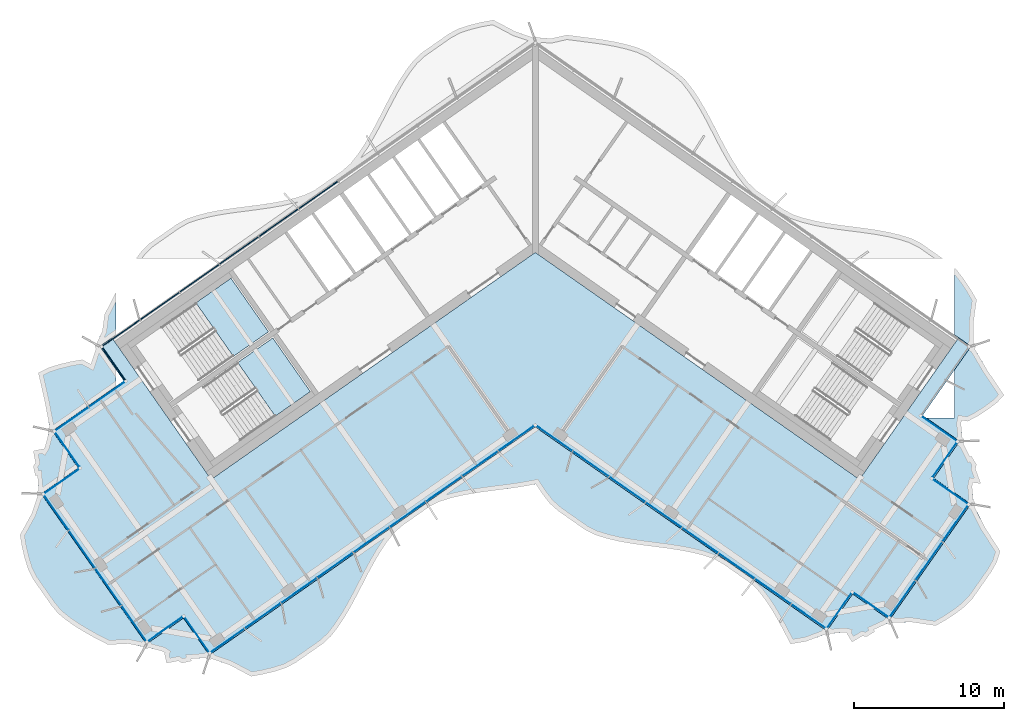
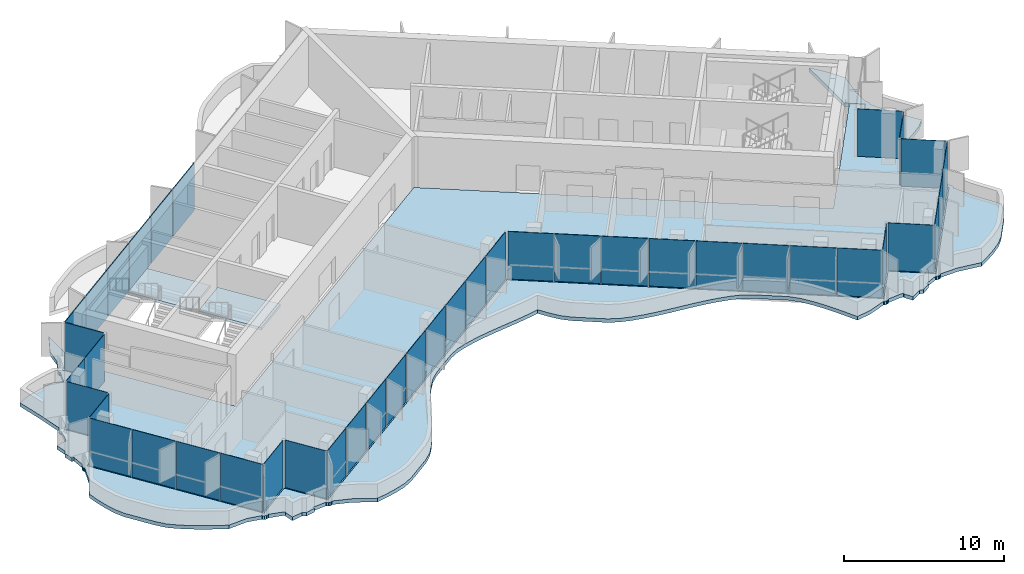
# One storey, part 7 of 17: 42 plates, 4 slabs, 4 elements without a shape of their own.
"""IFC4 building model written with IfcOpenShell, lengths in metres."""

from ifc_helpers import new_model, si_unit, direction, frame, origin, origin_2d, place, context, subcontext, project, spatial, polyline, rectangle, outline, extrude, material, layer, layer_set, type_object, element, aggregate, save


model = new_model("IFC4")

# Units and contexts
model_context = context("Model", 3, precision=1e-05, world=origin(), true_north=direction((0.0, 1.0)))
body_context = subcontext(model_context, "Body", "Model", "MODEL_VIEW")
ifc_project = project(units=[si_unit("LENGTHUNIT", "METRE"), si_unit("AREAUNIT", "SQUARE_METRE"), si_unit("VOLUMEUNIT", "CUBIC_METRE"), si_unit("PLANEANGLEUNIT", "RADIAN"), si_unit("MASSUNIT", "GRAM", prefix="KILO")], contexts=[model_context])

# Site, building, storey
site_placement = place(None, origin())
site = spatial("IfcSite", under=ifc_project, at=site_placement, CompositionType="ELEMENT")
building_placement = place(site_placement, origin())
building = spatial("IfcBuilding", under=site, at=building_placement, Name="Tel Ilan Convention Tower", CompositionType="ELEMENT")
storey_placement = place(building_placement, frame((0.0, 0.0, 280.0)))
storey = spatial("IfcBuildingStorey", under=building, at=storey_placement, Name="L66", CompositionType="ELEMENT", Elevation=280.0)

# Curtain wall, plates
ifc_material_1 = material(Name="Aluminium, bronze anodised", Category="aluminium")
curtain_wall_type_1 = type_object("IfcCurtainWallType", Name="CW2 STICK CURTAIN WALL, SPANDREL PANELS", PredefinedType="NOTDEFINED", material=ifc_material_1)
curtain_wall_1_placement = place(storey_placement, origin())
curtain_wall_1 = element("IfcCurtainWall", 1, at=curtain_wall_1_placement, inside=storey, type_object=curtain_wall_type_1, Name="Curtain wall CW2-50.01", PredefinedType="NOTDEFINED")
ifc_material_2 = material(Name="Aluminium composite panel, bronze anodised", Category="aluminium")
ifc_layer_1 = layer(ifc_material_2, 0.06005859375)
ifc_layer_set_1 = layer_set([ifc_layer_1], Name="CW SPANDREL PANEL 60")
plate_type_1 = type_object("IfcPlateType", Name="CW SPANDREL PANEL 60", PredefinedType="CURTAIN_PANEL", material=ifc_layer_set_1)
plate_1_placement = place(storey_placement, frame((-14.422119140625, 2.59765625, 0.0), z_axis=(0.0, 0.0, 1.0), x_axis=(-0.819152044289, -0.573576436351, 0.0)))
plate_1 = element("IfcPlate", 2, at=plate_1_placement, type_object=plate_type_1, Name="Spandrel panel", PredefinedType="CURTAIN_PANEL", context=body_context, shape_type="SweptSolid", body=[
    extrude(rectangle(XDim=3.15380859375, YDim=0.06005859375, at=origin_2d()), origin(), (0.0, 0.0, 1.0), 3.6201171875),
])
plate_2_placement = place(storey_placement, frame((-17.0546875, 0.754150390625, 0.0), z_axis=(0.0, 0.0, 1.0), x_axis=(-0.819152044289, -0.573576436351, 0.0)))
plate_2 = element("IfcPlate", 3, at=plate_2_placement, type_object=plate_type_1, Name="Spandrel panel", PredefinedType="CURTAIN_PANEL", context=body_context, shape_type="SweptSolid", body=[
    extrude(rectangle(XDim=3.15380859375, YDim=0.06005859375, at=origin_2d()), origin(), (0.0, 0.0, 1.0), 3.6201171875),
])
plate_3_placement = place(storey_placement, frame((-19.687255859375, -1.089111328125, 0.0), z_axis=(0.0, 0.0, 1.0), x_axis=(-0.819152044289, -0.573576436351, 0.0)))
plate_3 = element("IfcPlate", 4, at=plate_3_placement, type_object=plate_type_1, Name="Spandrel panel", PredefinedType="CURTAIN_PANEL", context=body_context, shape_type="SweptSolid", body=[
    extrude(rectangle(XDim=3.15380859375, YDim=0.06005859375, at=origin_2d()), origin(), (0.0, 0.0, 1.0), 3.6201171875),
])
plate_4_placement = place(storey_placement, frame((-22.31982421875, -2.9326171875, 0.0), z_axis=(0.0, 0.0, 1.0), x_axis=(-0.819152044289, -0.573576436351, 0.0)))
plate_4 = element("IfcPlate", 5, at=plate_4_placement, type_object=plate_type_1, Name="Spandrel panel", PredefinedType="CURTAIN_PANEL", context=body_context, shape_type="SweptSolid", body=[
    extrude(rectangle(XDim=3.15380859375, YDim=0.06005859375, at=origin_2d()), origin(), (0.0, 0.0, 1.0), 3.6201171875),
])
plate_5_placement = place(storey_placement, frame((-24.95263671875, -4.77587890625, 0.0), z_axis=(0.0, 0.0, 1.0), x_axis=(-0.819152044289, -0.573576436351, 0.0)))
plate_5 = element("IfcPlate", 6, at=plate_5_placement, type_object=plate_type_1, Name="Spandrel panel", PredefinedType="CURTAIN_PANEL", context=body_context, shape_type="SweptSolid", body=[
    extrude(rectangle(XDim=3.15380859375, YDim=0.06005859375, at=origin_2d()), origin(), (0.0, 0.0, 1.0), 3.6201171875),
])
plate_6_placement = place(storey_placement, frame((-27.5400390625, -6.587646484375, 0.0), z_axis=(0.0, 0.0, 1.0), x_axis=(-0.819152044289, -0.573576436351, 0.0)))
plate_6 = element("IfcPlate", 7, at=plate_6_placement, type_object=plate_type_1, Name="Spandrel panel", PredefinedType="CURTAIN_PANEL", context=body_context, shape_type="SweptSolid", body=[
    extrude(rectangle(XDim=3.0439453125, YDim=0.06005859375, at=origin_2d()), origin(), (0.0, 0.0, 1.0), 3.6201171875),
])
plate_7_placement = place(storey_placement, frame((-28.033935546875, -8.60546875, 0.0), z_axis=(0.0, 0.0, 1.0), x_axis=(0.573576436351, -0.819152044289, 0.0)))
plate_7 = element("IfcPlate", 8, at=plate_7_placement, type_object=plate_type_1, Name="Spandrel panel", PredefinedType="CURTAIN_PANEL", context=body_context, shape_type="SweptSolid", body=[
    extrude(rectangle(XDim=2.658935546875, YDim=0.06005859375, at=origin_2d()), origin(), (0.0, 0.0, 1.0), 3.6201171875),
])
aggregate(curtain_wall_1, [plate_1, plate_2, plate_3, plate_4, plate_5, plate_6, plate_7])

ifc_material_3 = material(Name="Aluminium, bronze anodised", Category="aluminium")
curtain_wall_type_2 = type_object("IfcCurtainWallType", Name="CW5 STICK CURTAIN WALL, UPPER OFFICE LOW-IRON TINTED GLASS", PredefinedType="NOTDEFINED", material=ifc_material_3)
curtain_wall_2_placement = place(storey_placement, origin())
curtain_wall_2 = element("IfcCurtainWall", 9, at=curtain_wall_2_placement, inside=storey, type_object=curtain_wall_type_2, Name="Curtain wall CW5-50.02", PredefinedType="NOTDEFINED")
ifc_material_4 = material(Name="Glass, low-iron bronze tinted, two-ply", Category="glass")
ifc_layer_2 = layer(ifc_material_4, 0.031982421875)
ifc_layer_set_2 = layer_set([ifc_layer_2], Name="CW UPPER GLASS PANEL 32")
plate_type_2 = type_object("IfcPlateType", Name="CW UPPER GLASS PANEL 32", PredefinedType="CURTAIN_PANEL", material=ifc_layer_set_2)
plate_8_placement = place(storey_placement, frame((-28.471435546875, -10.657958984375, 0.0), z_axis=(0.0, 0.0, 1.0), x_axis=(-0.819152044289, -0.573576436351, 0.0)))
plate_8 = element("IfcPlate", 10, at=plate_8_placement, type_object=plate_type_2, Name="Glass panel", PredefinedType="CURTAIN_PANEL", context=body_context, shape_type="SweptSolid", body=[
    extrude(rectangle(XDim=2.868896484375, YDim=0.028076171875, at=origin_2d()), origin(), (0.0, 0.0, 1.0), 3.6201171875),
])
plate_9_placement = place(storey_placement, frame((-30.8203125, -12.302734375, 0.0), z_axis=(0.0, 0.0, 1.0), x_axis=(-0.819152044289, -0.573576436351, 0.0)))
plate_9 = element("IfcPlate", 11, at=plate_9_placement, type_object=plate_type_2, Name="Glass panel", PredefinedType="CURTAIN_PANEL", context=body_context, shape_type="SweptSolid", body=[
    extrude(rectangle(XDim=2.74609375, YDim=0.028076171875, at=origin_2d()), origin(), (0.0, 0.0, 1.0), 3.6201171875),
])
plate_10_placement = place(storey_placement, frame((-31.126220703125, -14.30126953125, 0.0), z_axis=(0.0, 0.0, 1.0), x_axis=(0.573576436351, -0.819152044289, 0.0)))
plate_10 = element("IfcPlate", 12, at=plate_10_placement, type_object=plate_type_2, Name="Glass panel", PredefinedType="CURTAIN_PANEL", context=body_context, shape_type="SweptSolid", body=[
    extrude(rectangle(XDim=2.875, YDim=0.028076171875, at=origin_2d()), origin(), (0.0, 0.0, 1.0), 3.6201171875),
])
plate_11_placement = place(storey_placement, frame((-31.504150390625, -16.44384765625, 0.0), z_axis=(0.0, 0.0, 1.0), x_axis=(-0.819152044289, -0.573576436351, 0.0)))
plate_11 = element("IfcPlate", 13, at=plate_11_placement, type_object=plate_type_2, Name="Glass panel", PredefinedType="CURTAIN_PANEL", context=body_context, shape_type="SweptSolid", body=[
    extrude(rectangle(XDim=2.875, YDim=0.028076171875, at=origin_2d()), origin(), (0.0, 0.0, 1.0), 3.6201171875),
])
plate_12_placement = place(storey_placement, frame((-31.85693359375, -18.488037109375, 0.0), z_axis=(0.0, 0.0, 1.0), x_axis=(0.573576436351, -0.819152044289, 0.0)))
plate_12 = element("IfcPlate", 14, at=plate_12_placement, type_object=plate_type_2, Name="Glass panel", PredefinedType="CURTAIN_PANEL", context=body_context, shape_type="SweptSolid", body=[
    extrude(rectangle(XDim=2.89599609375, YDim=0.028076171875, at=origin_2d()), origin(), (0.0, 0.0, 1.0), 3.6201171875),
])
plate_13_placement = place(storey_placement, frame((-30.134521484375, -20.94775390625, 0.0), z_axis=(0.0, 0.0, 1.0), x_axis=(0.573576436351, -0.819152044289, 0.0)))
plate_13 = element("IfcPlate", 15, at=plate_13_placement, type_object=plate_type_2, Name="Glass panel", PredefinedType="CURTAIN_PANEL", context=body_context, shape_type="SweptSolid", body=[
    extrude(rectangle(XDim=2.989990234375, YDim=0.028076171875, at=origin_2d()), origin(), (0.0, 0.0, 1.0), 3.6201171875),
])
plate_14_placement = place(storey_placement, frame((-28.38525390625, -23.4462890625, 0.0), z_axis=(0.0, 0.0, 1.0), x_axis=(0.573576436351, -0.819152044289, 0.0)))
plate_14 = element("IfcPlate", 16, at=plate_14_placement, type_object=plate_type_2, Name="Glass panel", PredefinedType="CURTAIN_PANEL", context=body_context, shape_type="SweptSolid", body=[
    extrude(rectangle(XDim=2.989990234375, YDim=0.028076171875, at=origin_2d()), origin(), (0.0, 0.0, 1.0), 3.6201171875),
])
plate_15_placement = place(storey_placement, frame((-26.66259765625, -25.90625, 0.0), z_axis=(0.0, 0.0, 1.0), x_axis=(0.573576436351, -0.819152044289, 0.0)))
plate_15 = element("IfcPlate", 17, at=plate_15_placement, type_object=plate_type_2, Name="Glass panel", PredefinedType="CURTAIN_PANEL", context=body_context, shape_type="SweptSolid", body=[
    extrude(rectangle(XDim=2.89599609375, YDim=0.028076171875, at=origin_2d()), origin(), (0.0, 0.0, 1.0), 3.6201171875),
])
plate_16_placement = place(storey_placement, frame((-24.621337890625, -26.273681640625, 0.0), z_axis=(0.0, 0.0, 1.0), x_axis=(0.819152044289, 0.573576436351, 0.0)))
plate_16 = element("IfcPlate", 18, at=plate_16_placement, type_object=plate_type_2, Name="Glass panel", PredefinedType="CURTAIN_PANEL", context=body_context, shape_type="SweptSolid", body=[
    extrude(rectangle(XDim=2.875, YDim=0.028076171875, at=origin_2d()), origin(), (0.0, 0.0, 1.0), 3.6201171875),
])
plate_17_placement = place(storey_placement, frame((-22.478515625, -26.651611328125, 0.0), z_axis=(0.0, 0.0, 1.0), x_axis=(0.573576436351, -0.819152044289, 0.0)))
plate_17 = element("IfcPlate", 19, at=plate_17_placement, type_object=plate_type_2, Name="Glass panel", PredefinedType="CURTAIN_PANEL", context=body_context, shape_type="SweptSolid", body=[
    extrude(rectangle(XDim=2.875, YDim=0.028076171875, at=origin_2d()), origin(), (0.0, 0.0, 1.0), 3.6201171875),
])
plate_18_placement = place(storey_placement, frame((-20.47998046875, -27.036376953125, 0.0), z_axis=(0.0, 0.0, 1.0), x_axis=(0.819152044289, 0.573576436351, 0.0)))
plate_18 = element("IfcPlate", 20, at=plate_18_placement, type_object=plate_type_2, Name="Glass panel", PredefinedType="CURTAIN_PANEL", context=body_context, shape_type="SweptSolid", body=[
    extrude(rectangle(XDim=2.78466796875, YDim=0.028076171875, at=origin_2d()), origin(), (0.0, 0.0, 1.0), 3.6201171875),
])
plate_19_placement = place(storey_placement, frame((-18.111328125, -25.377685546875, 0.0), z_axis=(0.0, 0.0, 1.0), x_axis=(0.819152044289, 0.573576436351, 0.0)))
plate_19 = element("IfcPlate", 21, at=plate_19_placement, type_object=plate_type_2, Name="Glass panel", PredefinedType="CURTAIN_PANEL", context=body_context, shape_type="SweptSolid", body=[
    extrude(rectangle(XDim=2.878662109375, YDim=0.028076171875, at=origin_2d()), origin(), (0.0, 0.0, 1.0), 3.6201171875),
])
plate_20_placement = place(storey_placement, frame((-15.7041015625, -23.692138671875, 0.0), z_axis=(0.0, 0.0, 1.0), x_axis=(0.819152044289, 0.573576436351, 0.0)))
plate_20 = element("IfcPlate", 22, at=plate_20_placement, type_object=plate_type_2, Name="Glass panel", PredefinedType="CURTAIN_PANEL", context=body_context, shape_type="SweptSolid", body=[
    extrude(rectangle(XDim=2.878662109375, YDim=0.028076171875, at=origin_2d()), origin(), (0.0, 0.0, 1.0), 3.6201171875),
])
plate_21_placement = place(storey_placement, frame((-13.296875, -22.006591796875, 0.0), z_axis=(0.0, 0.0, 1.0), x_axis=(0.819152044289, 0.573576436351, 0.0)))
plate_21 = element("IfcPlate", 23, at=plate_21_placement, type_object=plate_type_2, Name="Glass panel", PredefinedType="CURTAIN_PANEL", context=body_context, shape_type="SweptSolid", body=[
    extrude(rectangle(XDim=2.878662109375, YDim=0.028076171875, at=origin_2d()), origin(), (0.0, 0.0, 1.0), 3.6201171875),
])
plate_22_placement = place(storey_placement, frame((-10.8896484375, -20.321044921875, 0.0), z_axis=(0.0, 0.0, 1.0), x_axis=(0.819152044289, 0.573576436351, 0.0)))
plate_22 = element("IfcPlate", 24, at=plate_22_placement, type_object=plate_type_2, Name="Glass panel", PredefinedType="CURTAIN_PANEL", context=body_context, shape_type="SweptSolid", body=[
    extrude(rectangle(XDim=2.878662109375, YDim=0.028076171875, at=origin_2d()), origin(), (0.0, 0.0, 1.0), 3.6201171875),
])
plate_23_placement = place(storey_placement, frame((-8.482666015625, -18.635498046875, 0.0), z_axis=(0.0, 0.0, 1.0), x_axis=(0.819152044289, 0.573576436351, 0.0)))
plate_23 = element("IfcPlate", 25, at=plate_23_placement, type_object=plate_type_2, Name="Glass panel", PredefinedType="CURTAIN_PANEL", context=body_context, shape_type="SweptSolid", body=[
    extrude(rectangle(XDim=2.878662109375, YDim=0.028076171875, at=origin_2d()), origin(), (0.0, 0.0, 1.0), 3.6201171875),
])
plate_24_placement = place(storey_placement, frame((-6.075439453125, -16.949951171875, 0.0), z_axis=(0.0, 0.0, 1.0), x_axis=(0.819152044289, 0.573576436351, 0.0)))
plate_24 = element("IfcPlate", 26, at=plate_24_placement, type_object=plate_type_2, Name="Glass panel", PredefinedType="CURTAIN_PANEL", context=body_context, shape_type="SweptSolid", body=[
    extrude(rectangle(XDim=2.878662109375, YDim=0.028076171875, at=origin_2d()), origin(), (0.0, 0.0, 1.0), 3.6201171875),
])
plate_25_placement = place(storey_placement, frame((-3.668212890625, -15.264404296875, 0.0), z_axis=(0.0, 0.0, 1.0), x_axis=(0.819152044289, 0.573576436351, 0.0)))
plate_25 = element("IfcPlate", 27, at=plate_25_placement, type_object=plate_type_2, Name="Glass panel", PredefinedType="CURTAIN_PANEL", context=body_context, shape_type="SweptSolid", body=[
    extrude(rectangle(XDim=2.878662109375, YDim=0.028076171875, at=origin_2d()), origin(), (0.0, 0.0, 1.0), 3.6201171875),
])
plate_26_placement = place(storey_placement, frame((-1.261474609375, -13.579345703125, 0.0), z_axis=(0.0, 0.0, 1.0), x_axis=(0.819152044289, 0.573576436351, 0.0)))
plate_26 = element("IfcPlate", 28, at=plate_26_placement, type_object=plate_type_2, Name="Glass panel", PredefinedType="CURTAIN_PANEL", context=body_context, shape_type="SweptSolid", body=[
    extrude(rectangle(XDim=2.877685546875, YDim=0.028076171875, at=origin_2d()), origin(), (0.0, 0.0, 1.0), 3.6201171875),
])
plate_27_placement = place(storey_placement, frame((1.280029296875, -13.59228515625, 0.0), z_axis=(0.0, 0.0, 1.0), x_axis=(0.819152044289, -0.573576436351, 0.0)))
plate_27 = element("IfcPlate", 29, at=plate_27_placement, type_object=plate_type_2, Name="Glass panel", PredefinedType="CURTAIN_PANEL", context=body_context, shape_type="SweptSolid", body=[
    extrude(rectangle(XDim=2.866943359375, YDim=0.028076171875, at=origin_2d()), origin(), (0.0, 0.0, 1.0), 3.6201171875),
])
plate_28_placement = place(storey_placement, frame((3.689453125, -15.279541015625, 0.0), z_axis=(0.0, 0.0, 1.0), x_axis=(0.819152044289, -0.573576436351, 0.0)))
plate_28 = element("IfcPlate", 30, at=plate_28_placement, type_object=plate_type_2, Name="Glass panel", PredefinedType="CURTAIN_PANEL", context=body_context, shape_type="SweptSolid", body=[
    extrude(rectangle(XDim=2.89599609375, YDim=0.028076171875, at=origin_2d()), origin(), (0.0, 0.0, 1.0), 3.6201171875),
])
plate_29_placement = place(storey_placement, frame((6.11083984375, -16.974853515625, 0.0), z_axis=(0.0, 0.0, 1.0), x_axis=(0.819152044289, -0.573576436351, 0.0)))
plate_29 = element("IfcPlate", 31, at=plate_29_placement, type_object=plate_type_2, Name="Glass panel", PredefinedType="CURTAIN_PANEL", context=body_context, shape_type="SweptSolid", body=[
    extrude(rectangle(XDim=2.89599609375, YDim=0.028076171875, at=origin_2d()), origin(), (0.0, 0.0, 1.0), 3.6201171875),
])
plate_30_placement = place(storey_placement, frame((8.5322265625, -18.67041015625, 0.0), z_axis=(0.0, 0.0, 1.0), x_axis=(0.819152044289, -0.573576436351, 0.0)))
plate_30 = element("IfcPlate", 32, at=plate_30_placement, type_object=plate_type_2, Name="Glass panel", PredefinedType="CURTAIN_PANEL", context=body_context, shape_type="SweptSolid", body=[
    extrude(rectangle(XDim=2.89599609375, YDim=0.028076171875, at=origin_2d()), origin(), (0.0, 0.0, 1.0), 3.6201171875),
])
plate_31_placement = place(storey_placement, frame((10.95361328125, -20.365966796875, 0.0), z_axis=(0.0, 0.0, 1.0), x_axis=(0.819152044289, -0.573576436351, 0.0)))
plate_31 = element("IfcPlate", 33, at=plate_31_placement, type_object=plate_type_2, Name="Glass panel", PredefinedType="CURTAIN_PANEL", context=body_context, shape_type="SweptSolid", body=[
    extrude(rectangle(XDim=2.89599609375, YDim=0.028076171875, at=origin_2d()), origin(), (0.0, 0.0, 1.0), 3.6201171875),
])
plate_32_placement = place(storey_placement, frame((13.375, -22.061279296875, 0.0), z_axis=(0.0, 0.0, 1.0), x_axis=(0.819152044289, -0.573576436351, 0.0)))
plate_32 = element("IfcPlate", 34, at=plate_32_placement, type_object=plate_type_2, Name="Glass panel", PredefinedType="CURTAIN_PANEL", context=body_context, shape_type="SweptSolid", body=[
    extrude(rectangle(XDim=2.89599609375, YDim=0.028076171875, at=origin_2d()), origin(), (0.0, 0.0, 1.0), 3.6201171875),
])
plate_33_placement = place(storey_placement, frame((15.79638671875, -23.7568359375, 0.0), z_axis=(0.0, 0.0, 1.0), x_axis=(0.819152044289, -0.573576436351, 0.0)))
plate_33 = element("IfcPlate", 35, at=plate_33_placement, type_object=plate_type_2, Name="Glass panel", PredefinedType="CURTAIN_PANEL", context=body_context, shape_type="SweptSolid", body=[
    extrude(rectangle(XDim=2.89599609375, YDim=0.028076171875, at=origin_2d()), origin(), (0.0, 0.0, 1.0), 3.6201171875),
])
plate_34_placement = place(storey_placement, frame((18.17919921875, -25.42529296875, 0.0), z_axis=(0.0, 0.0, 1.0), x_axis=(0.819152044289, -0.573576436351, 0.0)))
plate_34 = element("IfcPlate", 36, at=plate_34_placement, type_object=plate_type_2, Name="Glass panel", PredefinedType="CURTAIN_PANEL", context=body_context, shape_type="SweptSolid", body=[
    extrude(rectangle(XDim=2.802001953125, YDim=0.028076171875, at=origin_2d()), origin(), (0.0, 0.0, 1.0), 3.6201171875),
])
plate_35_placement = place(storey_placement, frame((20.184814453125, -25.04541015625, 0.0), z_axis=(0.0, 0.0, 1.0), x_axis=(0.573576436351, 0.819152044289, 0.0)))
plate_35 = element("IfcPlate", 37, at=plate_35_placement, type_object=plate_type_2, Name="Glass panel", PredefinedType="CURTAIN_PANEL", context=body_context, shape_type="SweptSolid", body=[
    extrude(rectangle(XDim=2.875, YDim=0.028076171875, at=origin_2d()), origin(), (0.0, 0.0, 1.0), 3.6201171875),
])
plate_36_placement = place(storey_placement, frame((22.32763671875, -24.667724609375, 0.0), z_axis=(0.0, 0.0, 1.0), x_axis=(0.819152044289, -0.573576436351, 0.0)))
plate_36 = element("IfcPlate", 38, at=plate_36_placement, type_object=plate_type_2, Name="Glass panel", PredefinedType="CURTAIN_PANEL", context=body_context, shape_type="SweptSolid", body=[
    extrude(rectangle(XDim=2.875, YDim=0.028076171875, at=origin_2d()), origin(), (0.0, 0.0, 1.0), 3.6201171875),
])
plate_37_placement = place(storey_placement, frame((24.39306640625, -24.26611328125, 0.0), z_axis=(0.0, 0.0, 1.0), x_axis=(0.573576436351, 0.819152044289, 0.0)))
plate_37 = element("IfcPlate", 39, at=plate_37_placement, type_object=plate_type_2, Name="Glass panel", PredefinedType="CURTAIN_PANEL", context=body_context, shape_type="SweptSolid", body=[
    extrude(rectangle(XDim=2.979248046875, YDim=0.028076171875, at=origin_2d()), origin(), (0.0, 0.0, 1.0), 3.6201171875),
])
plate_38_placement = place(storey_placement, frame((26.163330078125, -21.73779296875, 0.0), z_axis=(0.0, 0.0, 1.0), x_axis=(0.573576436351, 0.819152044289, 0.0)))
plate_38 = element("IfcPlate", 40, at=plate_38_placement, type_object=plate_type_2, Name="Glass panel", PredefinedType="CURTAIN_PANEL", context=body_context, shape_type="SweptSolid", body=[
    extrude(rectangle(XDim=3.0732421875, YDim=0.028076171875, at=origin_2d()), origin(), (0.0, 0.0, 1.0), 3.6201171875),
])
plate_39_placement = place(storey_placement, frame((27.93359375, -19.209716796875, 0.0), z_axis=(0.0, 0.0, 1.0), x_axis=(0.573576436351, 0.819152044289, 0.0)))
plate_39 = element("IfcPlate", 41, at=plate_39_placement, type_object=plate_type_2, Name="Glass panel", PredefinedType="CURTAIN_PANEL", context=body_context, shape_type="SweptSolid", body=[
    extrude(rectangle(XDim=2.979248046875, YDim=0.028076171875, at=origin_2d()), origin(), (0.0, 0.0, 1.0), 3.6201171875),
])
plate_40_placement = place(storey_placement, frame((27.6044921875, -17.131591796875, 0.0), z_axis=(0.0, 0.0, 1.0), x_axis=(-0.819152044289, 0.573576436351, 0.0)))
plate_40 = element("IfcPlate", 42, at=plate_40_placement, type_object=plate_type_2, Name="Glass panel", PredefinedType="CURTAIN_PANEL", context=body_context, shape_type="SweptSolid", body=[
    extrude(rectangle(XDim=2.875, YDim=0.028076171875, at=origin_2d()), origin(), (0.0, 0.0, 1.0), 3.6201171875),
])
plate_41_placement = place(storey_placement, frame((27.2265625, -14.98876953125, 0.0), z_axis=(0.0, 0.0, 1.0), x_axis=(0.573576436351, 0.819152044289, 0.0)))
plate_41 = element("IfcPlate", 43, at=plate_41_placement, type_object=plate_type_2, Name="Glass panel", PredefinedType="CURTAIN_PANEL", context=body_context, shape_type="SweptSolid", body=[
    extrude(rectangle(XDim=2.875, YDim=0.028076171875, at=origin_2d()), origin(), (0.0, 0.0, 1.0), 3.6201171875),
])
plate_42_placement = place(storey_placement, frame((26.86767578125, -12.953369140625, 0.0), z_axis=(0.0, 0.0, 1.0), x_axis=(-0.819152044289, 0.573576436351, 0.0)))
plate_42 = element("IfcPlate", 44, at=plate_42_placement, type_object=plate_type_2, Name="Glass panel", PredefinedType="CURTAIN_PANEL", context=body_context, shape_type="SweptSolid", body=[
    extrude(rectangle(XDim=2.875, YDim=0.028076171875, at=origin_2d()), origin(), (0.0, 0.0, 1.0), 3.6201171875),
])
aggregate(curtain_wall_2, [plate_8, plate_9, plate_10, plate_11, plate_12, plate_13, plate_14, plate_15, plate_16, plate_17, plate_18, plate_19, plate_20, plate_21, plate_22, plate_23, plate_24, plate_25, plate_26, plate_27, plate_28, plate_29, plate_30, plate_31, plate_32, plate_33, plate_34, plate_35, plate_36, plate_37, plate_38, plate_39, plate_40, plate_41, plate_42])

# Stair, slab
ifc_material_5 = material(Name="Concrete C40/50", Category="concrete")
stair_type = type_object("IfcStairType", Name="Pressurised Exit Stair 22 risers 177 mm", PredefinedType="HALF_TURN_STAIR", material=ifc_material_5)
stair_1_placement = place(storey_placement, origin())
stair_1 = element("IfcStair", 45, at=stair_1_placement, inside=storey, type_object=stair_type, Name="L66 Pressurised Stair S1", PredefinedType="HALF_TURN_STAIR")
ifc_material_6 = material(Name="Concrete C40/50", Category="concrete")
ifc_layer_3 = layer(ifc_material_6, 0.199951171875)
ifc_layer_set_3 = layer_set([ifc_layer_3], Name="Concrete Stair Landing 200 mm C40/50")
slab_type_1 = type_object("IfcSlabType", Name="Concrete Stair Landing 200 mm", PredefinedType="LANDING", material=ifc_layer_set_3)
slab_1_placement = place(storey_placement, frame((0.0, 0.0, 1.75)))
slab_1 = element("IfcSlab", 46, at=slab_1_placement, type_object=slab_type_1, Name="S1 landing 1", PredefinedType="LANDING", context=body_context, shape_type="SweptSolid", body=[
    extrude(outline(polyline([(-20.066650390625, -8.130126953125), (-17.7314453125, -6.494873046875), (-20.226318359375, -2.931640625), (-22.561767578125, -4.566650390625), (-20.066650390625, -8.130126953125)])), origin(), (0.0, 0.0, 1.0), 0.199951171875),
])
aggregate(stair_1, [slab_1])

stair_2_placement = place(storey_placement, origin())
stair_2 = element("IfcStair", 47, at=stair_2_placement, inside=storey, type_object=stair_type, Name="L66 Pressurised Stair S2", PredefinedType="HALF_TURN_STAIR")
slab_2_placement = place(storey_placement, frame((0.0, 0.0, 1.75)))
slab_2 = element("IfcSlab", 48, at=slab_2_placement, type_object=slab_type_1, Name="S2 landing 1", PredefinedType="LANDING", context=body_context, shape_type="SweptSolid", body=[
    extrude(outline(polyline([(-17.28466796875, -12.10302734375), (-14.949462890625, -10.4677734375), (-17.444580078125, -6.904541015625), (-19.77978515625, -8.53955078125), (-17.28466796875, -12.10302734375)])), origin(), (0.0, 0.0, 1.0), 0.199951171875),
])
aggregate(stair_2, [slab_2])

# Slabs
ifc_material_7 = material(Name="Concrete C40/50", Category="concrete")
ifc_layer_4 = layer(ifc_material_7, 0.280029296875)
ifc_layer_set_4 = layer_set([ifc_layer_4], Name="Edge Ledge Slab 280 mm C40/50")
slab_type_2 = type_object("IfcSlabType", Name="Edge Ledge Slab 280 mm C40/50", PredefinedType="FLOOR", material=ifc_layer_set_4)
slab_3_placement = place(storey_placement, frame((0.0, 0.0, -0.280029296875)))
element("IfcSlab", 49, at=slab_3_placement, inside=storey, type_object=slab_type_2, Name="L66 edge ledge 1", PredefinedType="FLOOR", context=body_context, shape_type="SweptSolid", body=[
    extrude(outline(polyline([(-23.49462890625, -28.5126953125), (-23.728759765625, -28.3701171875), (-24.51416015625, -28.518310546875), (-24.64697265625, -27.87890625), (-24.61669921875, -27.8291015625), (-24.7724609375, -27.73388671875), (-25.6708984375, -27.4970703125), (-25.67431640625, -27.4921875), (-25.728271484375, -27.5283203125), (-25.843017578125, -27.55126953125), (-25.957763671875, -27.5283203125), (-26.05517578125, -27.46337890625), (-26.083984375, -27.420166015625), (-26.088623046875, -27.42333984375), (-27.05419921875, -27.223388671875), (-28.398193359375, -27.288330078125), (-29.12353515625, -26.920166015625), (-29.82373046875, -26.5341796875), (-30.49462890625, -26.1279296875), (-31.125732421875, -25.69384765625), (-31.707763671875, -25.22509765625), (-32.166748046875, -24.670654296875), (-33.401611328125, -22.906982421875), (-33.7158203125, -22.2509765625), (-33.940185546875, -21.531982421875), (-34.1181640625, -20.780517578125), (-34.248779296875, -19.995849609375), (-33.47021484375, -18.574462890625), (-33.08642578125, -17.4296875), (-33.081787109375, -17.426513671875), (-33.117919921875, -17.372314453125), (-33.140625, -17.257568359375), (-33.117919921875, -17.142822265625), (-33.052734375, -17.04541015625), (-33.009521484375, -17.0166015625), (-33.0126953125, -17.011962890625), (-33.085693359375, -16.03955078125), (-33.232666015625, -16.067138671875), (-33.365478515625, -15.427490234375), (-33.22265625, -15.193603515625), (-33.370849609375, -14.408203125), (-32.7314453125, -14.275390625), (-32.681640625, -14.3056640625), (-32.586669921875, -14.14990234375), (-32.349609375, -13.25146484375), (-32.344970703125, -13.248291015625), (-32.381103515625, -13.194091796875), (-32.40380859375, -13.079345703125), (-32.381103515625, -12.964599609375), (-32.31591796875, -12.8671875), (-32.272705078125, -12.83837890625), (-32.27587890625, -12.833740234375), (-32.6083984375, -11.094970703125), (-33.031982421875, -9.225830078125), (-32.382080078125, -8.890380859375), (-31.6572265625, -8.661376953125), (-30.899169921875, -8.47998046875), (-30.110107421875, -8.3427734375), (-29.537353515625, -8.652587890625), (-29.20458984375, -7.631103515625), (-29.199951171875, -7.6279296875), (-29.236083984375, -7.57373046875), (-29.2587890625, -7.458984375), (-29.236083984375, -7.34423828125), (-29.1708984375, -7.246826171875), (-29.127685546875, -7.218017578125), (-29.130859375, -7.21337890625), (-28.772216796875, -6.441650390625), (-28.635009765625, -5.353515625), (-28.252685546875, -4.614990234375), (-27.875, -3.881103515625), (-27.875, -6.7001953125), (-28.958740234375, -7.458984375), (-27.875, -9.007080078125), (-27.875, -10.1181640625), (-32.10400390625, -13.079345703125), (-30.383056640625, -15.536865234375), (-32.840576171875, -17.257568359375), (-25.843017578125, -27.251220703125), (-23.385498046875, -25.530517578125), (-21.664794921875, -27.988037109375), (0.0, -12.818115234375), (19.37109375, -26.382080078125), (21.091796875, -23.924560546875), (23.54931640625, -25.645263671875), (28.94091796875, -17.9453125), (26.4833984375, -16.224609375), (28.2041015625, -13.76708984375), (26.023681640625, -12.239990234375), (27.875, -12.239990234375), (27.875, -9.007080078125), (28.958740234375, -7.458984375), (27.875, -6.7001953125), (27.875, -2.269287109375), (28.0107421875, -2.392578125), (28.48388671875, -3.001220703125), (28.922119140625, -3.6591796875), (29.331298828125, -4.35888671875), (29.109619140625, -5.95947265625), (29.130859375, -7.21337890625), (29.127685546875, -7.218017578125), (29.1708984375, -7.246826171875), (29.236083984375, -7.34423828125), (29.2587890625, -7.458984375), (29.236083984375, -7.57373046875), (29.199951171875, -7.6279296875), (29.20458984375, -7.631103515625), (30.056640625, -9.082275390625), (31.151123046875, -10.703125), (30.66748046875, -11.218994140625), (30.077880859375, -11.660888671875), (29.445068359375, -12.072265625), (28.752685546875, -12.44189453125), (28.33642578125, -12.373291015625), (28.291748046875, -12.595947265625), (28.376220703125, -13.521240234375), (28.373046875, -13.52587890625), (28.41650390625, -13.554931640625), (28.4814453125, -13.652099609375), (28.504150390625, -13.76708984375), (28.4814453125, -13.8818359375), (28.4453125, -13.935791015625), (28.449951171875, -13.939208984375), (28.889404296875, -14.805419921875), (28.979736328125, -14.751708984375), (29.3232421875, -15.30712890625), (29.26171875, -15.613037109375), (29.61181640625, -16.583740234375), (29.080078125, -16.5166015625), (29.028564453125, -16.774169921875), (29.113037109375, -17.699462890625), (29.10986328125, -17.7041015625), (29.153076171875, -17.733154296875), (29.218017578125, -17.830322265625), (29.240966796875, -17.9453125), (29.218017578125, -18.06005859375), (29.181884765625, -18.114013671875), (29.186767578125, -18.1171875), (29.872314453125, -19.47998046875), (30.8984375, -21.081298828125), (30.669189453125, -21.803466796875), (30.31298828125, -22.436767578125), (29.068603515625, -24.213623046875), (28.5625, -24.741943359375), (27.960693359375, -25.203369140625), (27.311767578125, -25.631591796875), (26.617919921875, -26.0283203125), (25.015625, -25.789306640625), (23.795166015625, -25.8173828125), (23.790283203125, -25.81396484375), (23.761474609375, -25.857421875), (23.664306640625, -25.92236328125), (23.54931640625, -25.9453125), (23.4345703125, -25.92236328125), (23.380615234375, -25.88623046875), (23.377197265625, -25.89111328125), (22.488525390625, -26.292236328125), (22.564697265625, -26.4208984375), (22.00927734375, -26.76416015625), (21.740478515625, -26.710205078125), (21.052978515625, -27.1181640625), (20.709716796875, -26.5625), (20.72119140625, -26.50537109375), (20.542236328125, -26.469482421875), (19.616943359375, -26.553955078125), (19.6123046875, -26.55078125), (19.583251953125, -26.593994140625), (19.486083984375, -26.6591796875), (19.37109375, -26.681884765625), (19.25634765625, -26.6591796875), (19.202392578125, -26.623046875), (19.19921875, -26.627685546875), (17.98388671875, -27.074951171875), (16.96240234375, -27.2451171875), (16.57958984375, -26.50341796875), (16.18994140625, -25.771728515625), (15.782958984375, -25.064453125), (15.349853515625, -24.39453125), (14.88330078125, -23.7724609375), (14.356201171875, -23.23681640625), (12.540283203125, -21.965087890625), (11.8955078125, -21.59765625), (11.16455078125, -21.353271484375), (10.3974609375, -21.159912109375), (9.601806640625, -21.008056640625), (8.785888671875, -20.885009765625), (7.958740234375, -20.777587890625), (7.130615234375, -20.672119140625), (6.311279296875, -20.553955078125), (5.510009765625, -20.40966796875), (4.73583984375, -20.22705078125), (3.99609375, -19.9951171875), (3.325927734375, -19.663818359375), (1.510009765625, -18.39208984375), (0.956298828125, -17.894287109375), (0.481201171875, -17.28466796875), (0.041015625, -16.624755859375), (0.03369140625, -16.6123046875), (-0.023681640625, -16.626708984375), (-0.816650390625, -16.775146484375), (-1.62890625, -16.895751953125), (-2.45166015625, -17.001953125), (-3.274658203125, -17.107421875), (-4.08837890625, -17.225830078125), (-4.8837890625, -17.370849609375), (-5.65234375, -17.55419921875), (-6.386474609375, -17.78662109375), (-7.049560546875, -18.12060546875), (-8.85498046875, -19.384521484375), (-9.404541015625, -19.880615234375), (-9.877197265625, -20.486572265625), (-10.314697265625, -21.142333984375), (-10.724853515625, -21.83740234375), (-11.11572265625, -22.56005859375), (-11.49658203125, -23.296875), (-11.877197265625, -24.0341796875), (-12.267333984375, -24.7578125), (-12.67626953125, -25.454833984375), (-13.1123046875, -26.113037109375), (-13.582763671875, -26.721923828125), (-14.12646484375, -27.226318359375), (-15.931884765625, -28.490478515625), (-16.588623046875, -28.833251953125), (-17.32080078125, -29.068603515625), (-18.08740234375, -29.25439453125), (-18.88330078125, -29.3984375), (-20.311279296875, -28.64013671875), (-21.49267578125, -28.233642578125), (-21.49609375, -28.22900390625), (-21.550048828125, -28.26513671875), (-21.664794921875, -28.2880859375), (-21.779541015625, -28.26513671875), (-21.876953125, -28.2001953125), (-21.906005859375, -28.15673828125), (-21.910400390625, -28.16015625), (-22.8828125, -28.233154296875), (-22.855224609375, -28.3798828125), (-23.49462890625, -28.5126953125)])), origin(), (0.0, 0.0, 1.0), 0.280029296875),
])
ifc_material_8 = material(Name="Concrete C40/50", Category="concrete")
ifc_layer_5 = layer(ifc_material_8, 0.280029296875)
ifc_layer_set_5 = layer_set([ifc_layer_5], Name="Flat Plate Floor Slab 280 mm C40/50")
slab_type_3 = type_object("IfcSlabType", Name="Flat Plate Floor Slab 280 mm C40/50", PredefinedType="FLOOR", material=ifc_layer_set_5)
slab_4_placement = place(storey_placement, frame((0.0, 0.0, -0.280029296875)))
element("IfcSlab", 50, at=slab_4_placement, inside=storey, type_object=slab_type_3, Name="L66 floor slab", PredefinedType="FLOOR", context=body_context, shape_type="SweptSolid", body=[
    extrude(outline(polyline([(-21.54345703125, -16.3056640625), (0.0, -1.220703125), (21.54345703125, -16.3056640625), (28.1396484375, -6.885498046875), (28.958740234375, -7.458984375), (25.746826171875, -12.04638671875), (28.2041015625, -13.76708984375), (26.4833984375, -16.224609375), (28.94091796875, -17.9453125), (23.54931640625, -25.645263671875), (21.091796875, -23.924560546875), (19.37109375, -26.382080078125), (0.0, -12.818115234375), (-21.664794921875, -27.988037109375), (-23.385498046875, -25.530517578125), (-25.843017578125, -27.251220703125), (-32.840576171875, -17.257568359375), (-30.383056640625, -15.536865234375), (-32.10400390625, -13.079345703125), (-27.352783203125, -9.752685546875), (-28.958740234375, -7.458984375), (-28.1396484375, -6.885498046875), (-21.54345703125, -16.3056640625)])), origin(), (0.0, 0.0, 1.0), 0.280029296875),
])

save(model, "model.ifc")
